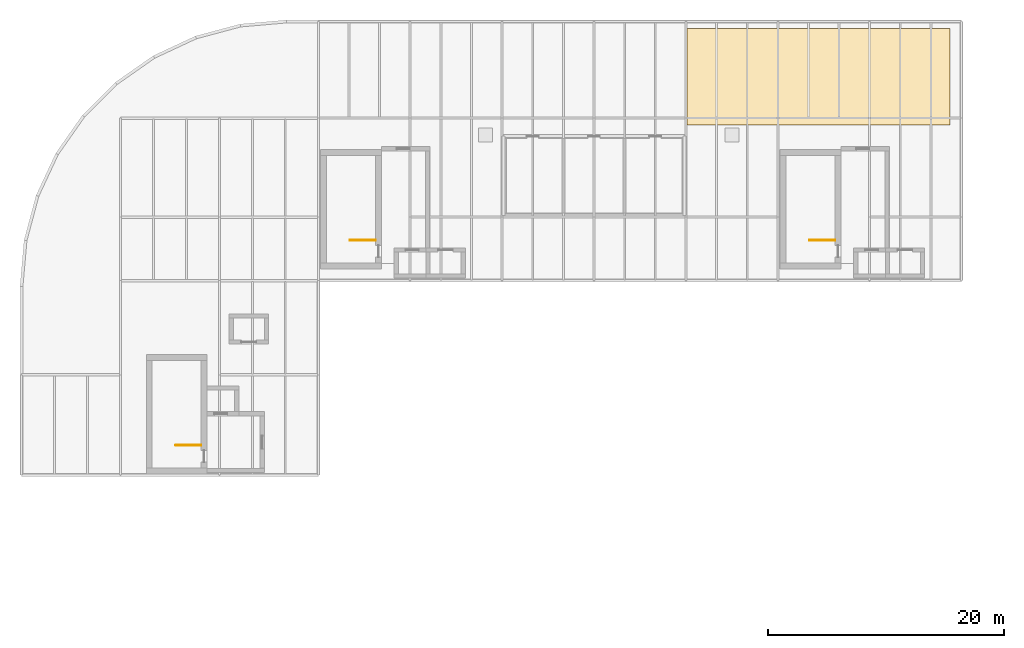
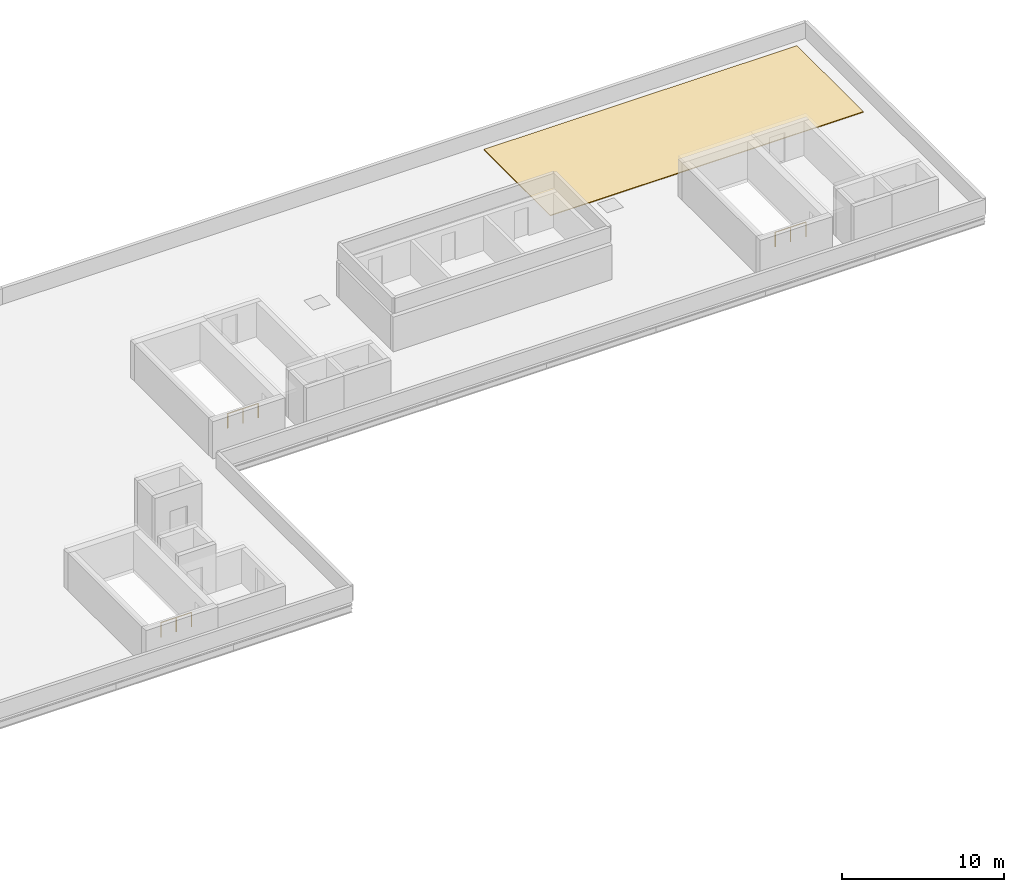
# One storey, part 9 of 9: 3 railings, 1 covering.
"""IFC4 building model written with IfcOpenShell, lengths in metres."""

from ifc_helpers import new_model, si_unit, direction, frame, origin, origin_2d, place, context, subcontext, project, spatial, polyline, circle, outline, extrude, material, layer, layer_set, type_object, element, save


model = new_model("IFC4")

# Units and contexts
model_context = context("Model", 3, precision=1e-05, world=origin(), true_north=direction((0.0, 1.0)))
body_context = subcontext(model_context, "Body", "Model", "MODEL_VIEW")
ifc_project = project(units=[si_unit("LENGTHUNIT", "METRE"), si_unit("AREAUNIT", "SQUARE_METRE"), si_unit("VOLUMEUNIT", "CUBIC_METRE"), si_unit("PLANEANGLEUNIT", "RADIAN"), si_unit("MASSUNIT", "GRAM", prefix="KILO")], contexts=[model_context])

# Site, building, storey
site_placement = place(None, origin())
site = spatial("IfcSite", under=ifc_project, at=site_placement, CompositionType="ELEMENT")
building_placement = place(site_placement, origin())
building = spatial("IfcBuilding", under=site, at=building_placement, Name="Sefraquen Railside Congress Hotel", CompositionType="ELEMENT")
storey_placement = place(building_placement, frame((0.0, 0.0, 51.60009765625)))
storey = spatial("IfcBuildingStorey", under=building, at=storey_placement, Name="RF", CompositionType="ELEMENT", Elevation=51.60009765625)

# Covering
ifc_material_1 = material(Name="Modified SBS polymer roofing membrane and stone ballast", Category="masonry")
ifc_layer = layer(ifc_material_1, 0.06005859375)
ifc_layer_set = layer_set([ifc_layer], Name="Modified SBS polymer roofing membrane and stone ballast")
covering_type = type_object("IfcCoveringType", Name="TCV-ROOF-01", PredefinedType="ROOFING", material=ifc_layer_set)
covering_placement = place(storey_placement, origin())
element("IfcCovering", 1, at=covering_placement, inside=storey, type_object=covering_type, Name="Hotel Crown RF standing-seam zinc roofing", PredefinedType="ROOFING", context=body_context, shape_type="SweptSolid", body=[
    extrude(outline(polyline([(56.5, 109.199951171875), (78.800048828125, 109.199951171875), (78.800048828125, 117.39990234375), (56.5, 117.39990234375), (56.5, 109.199951171875)])), origin(), (0.0, 0.0, 1.0), 0.059814453125),
])

# Railings
ifc_material_2 = material(Name="Patinated wrought architectural bronze", Category="metal")
railing_type = type_object("IfcRailingType", Name="TRL-BAL-110", PredefinedType="BALUSTRADE", material=ifc_material_2)
railing_placement = place(storey_placement, frame((15.260009765625, 82.030029296875, 0.0)))
element("IfcRailing", 2, at=railing_placement, inside=storey, type_object=railing_type, Name="RF ST-H01 top well guard 1", PredefinedType="BALUSTRADE", context=body_context, shape_type="SweptSolid", body=[
    extrude(circle(Radius=0.02392578125, at=origin_2d()), frame((0.0, 0.0, 1.076171875), z_axis=(-1.0, 0.0, 0.0), x_axis=(0.0, -1.0, 0.0)), (0.0, 0.0, 1.0), 2.179931640625),
    extrude(circle(Radius=0.02099609375, at=origin_2d()), origin(), (0.0, 0.0, 1.0), 1.052001953125),
    extrude(circle(Radius=0.02099609375, at=origin_2d()), frame((-1.08984375, 0.0, 0.0)), (0.0, 0.0, 1.0), 1.052001953125),
    extrude(circle(Radius=0.02099609375, at=origin_2d()), frame((-2.179931640625, 0.0, 0.0)), (0.0, 0.0, 1.0), 1.052001953125),
])
for number, where, name in (
    (3, (30.06005859375, 99.429931640625, 0.0), "RF ST-H02 top well guard 1"),
    (4, (69.06005859375, 99.429931640625, 0.0), "RF ST-H03 top well guard 1"),
):
    element("IfcRailing", number, at=place(storey_placement, frame(where)), inside=storey, type_object=railing_type, Name=name, PredefinedType="BALUSTRADE", context=body_context, shape_type="SweptSolid", body=[
        extrude(circle(Radius=0.02392578125, at=origin_2d()), frame((0.0, 0.0, 1.076171875), z_axis=(-1.0, 0.0, 0.0), x_axis=(0.0, -1.0, 0.0)), (0.0, 0.0, 1.0), 2.18017578125),
        extrude(circle(Radius=0.02099609375, at=origin_2d()), origin(), (0.0, 0.0, 1.0), 1.052001953125),
        extrude(circle(Radius=0.02099609375, at=origin_2d()), frame((-1.090087890625, 0.0, 0.0)), (0.0, 0.0, 1.0), 1.052001953125),
        extrude(circle(Radius=0.02099609375, at=origin_2d()), frame((-2.18017578125, 0.0, 0.0)), (0.0, 0.0, 1.0), 1.052001953125),
    ])

save(model, "model.ifc")
